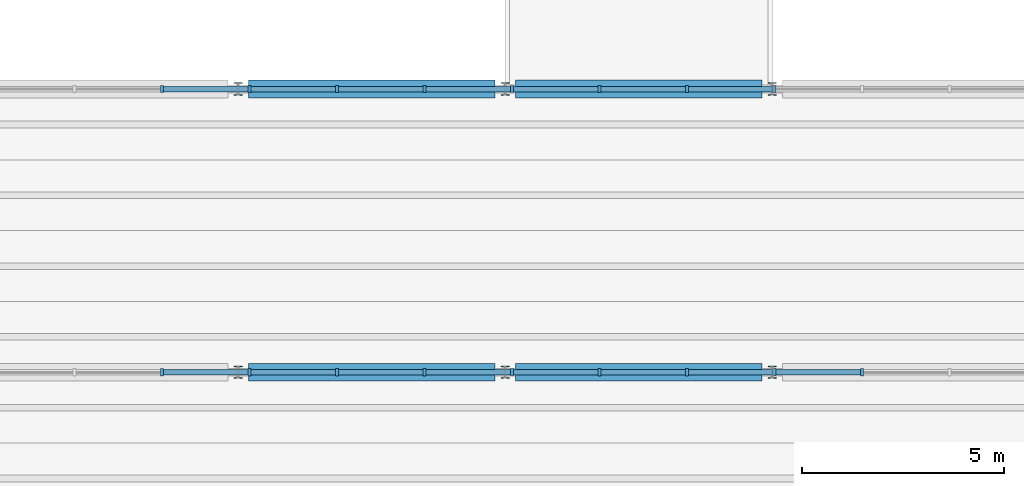
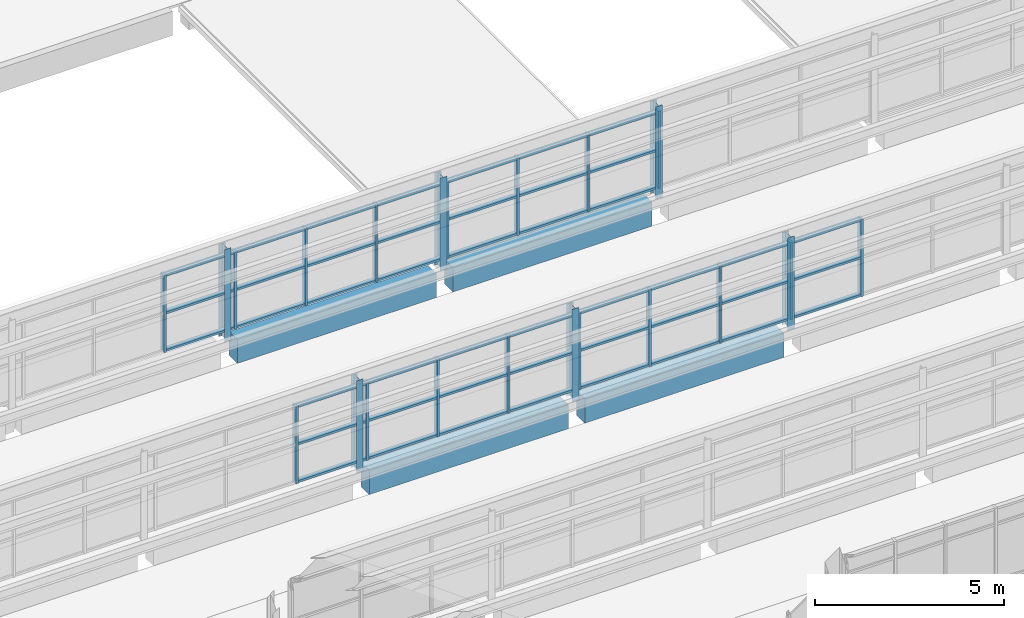
# One storey, part 25 of 92: 68 members, 4 beams, 2 elements without a shape of their own.
"""IFC4 building model written with IfcOpenShell, lengths in metres."""

from ifc_helpers import new_model, si_unit, direction, frame, origin, origin_2d, place, context, subcontext, project, spatial, rectangle, i_section, extrude, material, material_profile, profile_set, type_object, element, aggregate, save


model = new_model("IFC4")

# Units and contexts
model_context = context("Model", 3, precision=1e-05, world=origin(), true_north=direction((0.0, 1.0)))
body_context = subcontext(model_context, "Body", "Model", "MODEL_VIEW")
ifc_project = project(units=[si_unit("LENGTHUNIT", "METRE"), si_unit("AREAUNIT", "SQUARE_METRE"), si_unit("VOLUMEUNIT", "CUBIC_METRE"), si_unit("PLANEANGLEUNIT", "RADIAN"), si_unit("MASSUNIT", "GRAM", prefix="KILO")], contexts=[model_context])

# Site, building, storey
site_placement = place(None, origin())
site = spatial("IfcSite", under=ifc_project, at=site_placement, CompositionType="ELEMENT")
building_placement = place(site_placement, origin())
building = spatial("IfcBuilding", under=site, at=building_placement, Name="Ciguamira Faculty of Natural Sciences", CompositionType="ELEMENT")
storey_placement = place(building_placement, frame((0.0, 0.0, 16.800048828125)))
storey = spatial("IfcBuildingStorey", under=building, at=storey_placement, Name="L04", CompositionType="ELEMENT", Elevation=16.800048828125)

# Curtain wall, members
ifc_material_1 = material(Name="Anodized aluminium curtain wall", Category="aluminium")
curtain_wall_type_1 = type_object("IfcCurtainWallType", Name="CurtainWall_CW-03", PredefinedType="USERDEFINED", material=ifc_material_1)
curtain_wall_1_placement = place(storey_placement, origin())
curtain_wall_1 = element("IfcCurtainWall", 1, at=curtain_wall_1_placement, inside=storey, type_object=curtain_wall_type_1, Name="V4 north-light wave 2 clerestory glazing 1", ObjectType="UNITISED CURTAIN WALL", PredefinedType="USERDEFINED")
ifc_material_2 = material(Name="Anodized aluminium mullion", Category="aluminium")
ifc_material_profile_1 = material_profile(ifc_material_2, rectangle(XDim=0.070068359375, YDim=0.179931640625, at=origin_2d()), Name="ALU-MUL-70X180")
ifc_profile_set_1 = profile_set([ifc_material_profile_1], Name="Anodized aluminium mullion")
member_type_1 = type_object("IfcMemberType", Name="CWMullion_CWM-02", PredefinedType="MULLION", material=ifc_profile_set_1)
member_1_placement = place(storey_placement, frame((68.61474609375, 52.0, 0.25), z_axis=(0.0, 0.0, 1.0), x_axis=(1.0, 0.0, 0.0)))
member_1 = element("IfcMember", 2, at=member_1_placement, type_object=member_type_1, Name="CW-03 mullion 6", PredefinedType="MULLION", context=body_context, shape_type="SweptSolid", body=[
    extrude(rectangle(XDim=0.070068359375, YDim=0.179931640625, at=origin_2d()), origin(), (0.0, 0.0, 1.0), 2.5),
])
member_2_placement = place(storey_placement, frame((70.77783203125, 52.0, 0.25), z_axis=(0.0, 0.0, 1.0), x_axis=(1.0, 0.0, 0.0)))
member_2 = element("IfcMember", 3, at=member_2_placement, type_object=member_type_1, Name="CW-03 mullion 7", PredefinedType="MULLION", context=body_context, shape_type="SweptSolid", body=[
    extrude(rectangle(XDim=0.070068359375, YDim=0.179931640625, at=origin_2d()), origin(), (0.0, 0.0, 1.0), 2.5),
])
member_3_placement = place(storey_placement, frame((72.940673828125, 52.0, 0.25), z_axis=(0.0, 0.0, 1.0), x_axis=(1.0, 0.0, 0.0)))
member_3 = element("IfcMember", 4, at=member_3_placement, type_object=member_type_1, Name="CW-03 mullion 8", PredefinedType="MULLION", context=body_context, shape_type="SweptSolid", body=[
    extrude(rectangle(XDim=0.070068359375, YDim=0.179931640625, at=origin_2d()), origin(), (0.0, 0.0, 1.0), 2.5),
])
member_4_placement = place(storey_placement, frame((75.103759765625, 52.0, 0.25), z_axis=(0.0, 0.0, 1.0), x_axis=(1.0, 0.0, 0.0)))
member_4 = element("IfcMember", 5, at=member_4_placement, type_object=member_type_1, Name="CW-03 mullion 9", PredefinedType="MULLION", context=body_context, shape_type="SweptSolid", body=[
    extrude(rectangle(XDim=0.070068359375, YDim=0.179931640625, at=origin_2d()), origin(), (0.0, 0.0, 1.0), 2.5),
])
member_5_placement = place(storey_placement, frame((77.2666015625, 52.0, 0.25), z_axis=(0.0, 0.0, 1.0), x_axis=(1.0, 0.0, 0.0)))
member_5 = element("IfcMember", 6, at=member_5_placement, type_object=member_type_1, Name="CW-03 mullion 10", PredefinedType="MULLION", context=body_context, shape_type="SweptSolid", body=[
    extrude(rectangle(XDim=0.070068359375, YDim=0.179931640625, at=origin_2d()), origin(), (0.0, 0.0, 1.0), 2.5),
])
member_6_placement = place(storey_placement, frame((79.4296875, 52.0, 0.25), z_axis=(0.0, 0.0, 1.0), x_axis=(1.0, 0.0, 0.0)))
member_6 = element("IfcMember", 7, at=member_6_placement, type_object=member_type_1, Name="CW-03 mullion 11", PredefinedType="MULLION", context=body_context, shape_type="SweptSolid", body=[
    extrude(rectangle(XDim=0.070068359375, YDim=0.179931640625, at=origin_2d()), origin(), (0.0, 0.0, 1.0), 2.5),
])
member_7_placement = place(storey_placement, frame((81.592529296875, 52.0, 0.25), z_axis=(0.0, 0.0, 1.0), x_axis=(1.0, 0.0, 0.0)))
member_7 = element("IfcMember", 8, at=member_7_placement, type_object=member_type_1, Name="CW-03 mullion 12", PredefinedType="MULLION", context=body_context, shape_type="SweptSolid", body=[
    extrude(rectangle(XDim=0.070068359375, YDim=0.179931640625, at=origin_2d()), origin(), (0.0, 0.0, 1.0), 2.5),
])
member_8_placement = place(storey_placement, frame((83.755615234375, 52.0, 0.25), z_axis=(0.0, 0.0, 1.0), x_axis=(1.0, 0.0, 0.0)))
member_8 = element("IfcMember", 9, at=member_8_placement, type_object=member_type_1, Name="CW-03 mullion 13", PredefinedType="MULLION", context=body_context, shape_type="SweptSolid", body=[
    extrude(rectangle(XDim=0.070068359375, YDim=0.179931640625, at=origin_2d()), origin(), (0.0, 0.0, 1.0), 2.5),
])
member_9_placement = place(storey_placement, frame((85.91845703125, 52.0, 0.25), z_axis=(0.0, 0.0, 1.0), x_axis=(1.0, 0.0, 0.0)))
member_9 = element("IfcMember", 10, at=member_9_placement, type_object=member_type_1, Name="CW-03 mullion 14", PredefinedType="MULLION", context=body_context, shape_type="SweptSolid", body=[
    extrude(rectangle(XDim=0.070068359375, YDim=0.179931640625, at=origin_2d()), origin(), (0.0, 0.0, 1.0), 2.5),
])

curtain_wall_type_2 = type_object("IfcCurtainWallType", Name="CurtainWall_CW-04", PredefinedType="USERDEFINED", material=ifc_material_1)
curtain_wall_2_placement = place(storey_placement, origin())
curtain_wall_2 = element("IfcCurtainWall", 11, at=curtain_wall_2_placement, inside=storey, type_object=curtain_wall_type_2, Name="V4 north-light wave 3 clerestory glazing 1", ObjectType="UNITISED CURTAIN WALL", PredefinedType="USERDEFINED")
member_10_placement = place(storey_placement, frame((68.61474609375, 59.0, 0.25), z_axis=(0.0, 0.0, 1.0), x_axis=(1.0, 0.0, 0.0)))
member_10 = element("IfcMember", 12, at=member_10_placement, type_object=member_type_1, Name="CW-04 mullion 6", PredefinedType="MULLION", context=body_context, shape_type="SweptSolid", body=[
    extrude(rectangle(XDim=0.070068359375, YDim=0.179931640625, at=origin_2d()), origin(), (0.0, 0.0, 1.0), 2.5),
])
member_11_placement = place(storey_placement, frame((70.77783203125, 59.0, 0.25), z_axis=(0.0, 0.0, 1.0), x_axis=(1.0, 0.0, 0.0)))
member_11 = element("IfcMember", 13, at=member_11_placement, type_object=member_type_1, Name="CW-04 mullion 7", PredefinedType="MULLION", context=body_context, shape_type="SweptSolid", body=[
    extrude(rectangle(XDim=0.070068359375, YDim=0.179931640625, at=origin_2d()), origin(), (0.0, 0.0, 1.0), 2.5),
])
member_12_placement = place(storey_placement, frame((72.940673828125, 59.0, 0.25), z_axis=(0.0, 0.0, 1.0), x_axis=(1.0, 0.0, 0.0)))
member_12 = element("IfcMember", 14, at=member_12_placement, type_object=member_type_1, Name="CW-04 mullion 8", PredefinedType="MULLION", context=body_context, shape_type="SweptSolid", body=[
    extrude(rectangle(XDim=0.070068359375, YDim=0.179931640625, at=origin_2d()), origin(), (0.0, 0.0, 1.0), 2.5),
])
member_13_placement = place(storey_placement, frame((75.103759765625, 59.0, 0.25), z_axis=(0.0, 0.0, 1.0), x_axis=(1.0, 0.0, 0.0)))
member_13 = element("IfcMember", 15, at=member_13_placement, type_object=member_type_1, Name="CW-04 mullion 9", PredefinedType="MULLION", context=body_context, shape_type="SweptSolid", body=[
    extrude(rectangle(XDim=0.070068359375, YDim=0.179931640625, at=origin_2d()), origin(), (0.0, 0.0, 1.0), 2.5),
])
member_14_placement = place(storey_placement, frame((77.2666015625, 59.0, 0.25), z_axis=(0.0, 0.0, 1.0), x_axis=(1.0, 0.0, 0.0)))
member_14 = element("IfcMember", 16, at=member_14_placement, type_object=member_type_1, Name="CW-04 mullion 10", PredefinedType="MULLION", context=body_context, shape_type="SweptSolid", body=[
    extrude(rectangle(XDim=0.070068359375, YDim=0.179931640625, at=origin_2d()), origin(), (0.0, 0.0, 1.0), 2.5),
])
member_15_placement = place(storey_placement, frame((79.4296875, 59.0, 0.25), z_axis=(0.0, 0.0, 1.0), x_axis=(1.0, 0.0, 0.0)))
member_15 = element("IfcMember", 17, at=member_15_placement, type_object=member_type_1, Name="CW-04 mullion 11", PredefinedType="MULLION", context=body_context, shape_type="SweptSolid", body=[
    extrude(rectangle(XDim=0.070068359375, YDim=0.179931640625, at=origin_2d()), origin(), (0.0, 0.0, 1.0), 2.5),
])
member_16_placement = place(storey_placement, frame((81.592529296875, 59.0, 0.25), z_axis=(0.0, 0.0, 1.0), x_axis=(1.0, 0.0, 0.0)))
member_16 = element("IfcMember", 18, at=member_16_placement, type_object=member_type_1, Name="CW-04 mullion 12", PredefinedType="MULLION", context=body_context, shape_type="SweptSolid", body=[
    extrude(rectangle(XDim=0.070068359375, YDim=0.179931640625, at=origin_2d()), origin(), (0.0, 0.0, 1.0), 2.5),
])
member_17_placement = place(storey_placement, frame((83.755615234375, 59.0, 0.25), z_axis=(0.0, 0.0, 1.0), x_axis=(1.0, 0.0, 0.0)))
member_17 = element("IfcMember", 19, at=member_17_placement, type_object=member_type_1, Name="CW-04 mullion 13", PredefinedType="MULLION", context=body_context, shape_type="SweptSolid", body=[
    extrude(rectangle(XDim=0.070068359375, YDim=0.179931640625, at=origin_2d()), origin(), (0.0, 0.0, 1.0), 2.5),
])

# Member
ifc_material_3 = material(Name="Anodized aluminium transom", Category="aluminium")
ifc_material_profile_2 = material_profile(ifc_material_3, rectangle(XDim=0.070068359375, YDim=0.139892578125, at=origin_2d()), Name="ALU-TRN-70X140")
ifc_profile_set_2 = profile_set([ifc_material_profile_2], Name="Anodized aluminium transom")
member_type_2 = type_object("IfcMemberType", Name="CWTransom_CWT-02", PredefinedType="USERDEFINED", material=ifc_profile_set_2)
member_18_placement = place(storey_placement, frame((68.64990234375, 52.0, 0.284912109375), z_axis=(1.0, 0.0, 0.0), x_axis=(0.0, 0.0, 1.0)))
member_18 = element("IfcMember", 20, at=member_18_placement, type_object=member_type_2, Name="CW-03 transom 6.1", ObjectType="TRANSOM", PredefinedType="USERDEFINED", context=body_context, shape_type="SweptSolid", body=[
    extrude(rectangle(XDim=0.070068359375, YDim=0.139892578125, at=origin_2d()), origin(), (0.0, 0.0, 1.0), 2.0927734375),
])

member_19_placement = place(storey_placement, frame((68.64990234375, 52.0, 1.5), z_axis=(1.0, 0.0, 0.0), x_axis=(0.0, 0.0, 1.0)))
member_19 = element("IfcMember", 21, at=member_19_placement, type_object=member_type_2, Name="CW-03 transom 6.2", ObjectType="TRANSOM", PredefinedType="USERDEFINED", context=body_context, shape_type="SweptSolid", body=[
    extrude(rectangle(XDim=0.070068359375, YDim=0.139892578125, at=origin_2d()), origin(), (0.0, 0.0, 1.0), 2.0927734375),
])

member_20_placement = place(storey_placement, frame((68.64990234375, 52.0, 2.71484375), z_axis=(1.0, 0.0, 0.0), x_axis=(0.0, 0.0, 1.0)))
member_20 = element("IfcMember", 22, at=member_20_placement, type_object=member_type_2, Name="CW-03 transom 6.3", ObjectType="TRANSOM", PredefinedType="USERDEFINED", context=body_context, shape_type="SweptSolid", body=[
    extrude(rectangle(XDim=0.070068359375, YDim=0.139892578125, at=origin_2d()), origin(), (0.0, 0.0, 1.0), 2.0927734375),
])

member_21_placement = place(storey_placement, frame((70.812744140625, 52.0, 0.284912109375), z_axis=(1.0, 0.0, 0.0), x_axis=(0.0, 0.0, 1.0)))
member_21 = element("IfcMember", 23, at=member_21_placement, type_object=member_type_2, Name="CW-03 transom 7.1", ObjectType="TRANSOM", PredefinedType="USERDEFINED", context=body_context, shape_type="SweptSolid", body=[
    extrude(rectangle(XDim=0.070068359375, YDim=0.139892578125, at=origin_2d()), origin(), (0.0, 0.0, 1.0), 2.093017578125),
])

member_22_placement = place(storey_placement, frame((70.812744140625, 52.0, 1.5), z_axis=(1.0, 0.0, 0.0), x_axis=(0.0, 0.0, 1.0)))
member_22 = element("IfcMember", 24, at=member_22_placement, type_object=member_type_2, Name="CW-03 transom 7.2", ObjectType="TRANSOM", PredefinedType="USERDEFINED", context=body_context, shape_type="SweptSolid", body=[
    extrude(rectangle(XDim=0.070068359375, YDim=0.139892578125, at=origin_2d()), origin(), (0.0, 0.0, 1.0), 2.093017578125),
])

member_23_placement = place(storey_placement, frame((70.812744140625, 52.0, 2.71484375), z_axis=(1.0, 0.0, 0.0), x_axis=(0.0, 0.0, 1.0)))
member_23 = element("IfcMember", 25, at=member_23_placement, type_object=member_type_2, Name="CW-03 transom 7.3", ObjectType="TRANSOM", PredefinedType="USERDEFINED", context=body_context, shape_type="SweptSolid", body=[
    extrude(rectangle(XDim=0.070068359375, YDim=0.139892578125, at=origin_2d()), origin(), (0.0, 0.0, 1.0), 2.093017578125),
])

member_24_placement = place(storey_placement, frame((72.975830078125, 52.0, 0.284912109375), z_axis=(1.0, 0.0, 0.0), x_axis=(0.0, 0.0, 1.0)))
member_24 = element("IfcMember", 26, at=member_24_placement, type_object=member_type_2, Name="CW-03 transom 8.1", ObjectType="TRANSOM", PredefinedType="USERDEFINED", context=body_context, shape_type="SweptSolid", body=[
    extrude(rectangle(XDim=0.070068359375, YDim=0.139892578125, at=origin_2d()), origin(), (0.0, 0.0, 1.0), 2.0927734375),
])

member_25_placement = place(storey_placement, frame((72.975830078125, 52.0, 1.5), z_axis=(1.0, 0.0, 0.0), x_axis=(0.0, 0.0, 1.0)))
member_25 = element("IfcMember", 27, at=member_25_placement, type_object=member_type_2, Name="CW-03 transom 8.2", ObjectType="TRANSOM", PredefinedType="USERDEFINED", context=body_context, shape_type="SweptSolid", body=[
    extrude(rectangle(XDim=0.070068359375, YDim=0.139892578125, at=origin_2d()), origin(), (0.0, 0.0, 1.0), 2.0927734375),
])

member_26_placement = place(storey_placement, frame((72.975830078125, 52.0, 2.71484375), z_axis=(1.0, 0.0, 0.0), x_axis=(0.0, 0.0, 1.0)))
member_26 = element("IfcMember", 28, at=member_26_placement, type_object=member_type_2, Name="CW-03 transom 8.3", ObjectType="TRANSOM", PredefinedType="USERDEFINED", context=body_context, shape_type="SweptSolid", body=[
    extrude(rectangle(XDim=0.070068359375, YDim=0.139892578125, at=origin_2d()), origin(), (0.0, 0.0, 1.0), 2.0927734375),
])

member_27_placement = place(storey_placement, frame((75.138671875, 52.0, 0.284912109375), z_axis=(1.0, 0.0, 0.0), x_axis=(0.0, 0.0, 1.0)))
member_27 = element("IfcMember", 29, at=member_27_placement, type_object=member_type_2, Name="CW-03 transom 9.1", ObjectType="TRANSOM", PredefinedType="USERDEFINED", context=body_context, shape_type="SweptSolid", body=[
    extrude(rectangle(XDim=0.070068359375, YDim=0.139892578125, at=origin_2d()), origin(), (0.0, 0.0, 1.0), 2.093017578125),
])

member_28_placement = place(storey_placement, frame((75.138671875, 52.0, 1.5), z_axis=(1.0, 0.0, 0.0), x_axis=(0.0, 0.0, 1.0)))
member_28 = element("IfcMember", 30, at=member_28_placement, type_object=member_type_2, Name="CW-03 transom 9.2", ObjectType="TRANSOM", PredefinedType="USERDEFINED", context=body_context, shape_type="SweptSolid", body=[
    extrude(rectangle(XDim=0.070068359375, YDim=0.139892578125, at=origin_2d()), origin(), (0.0, 0.0, 1.0), 2.093017578125),
])

member_29_placement = place(storey_placement, frame((75.138671875, 52.0, 2.71484375), z_axis=(1.0, 0.0, 0.0), x_axis=(0.0, 0.0, 1.0)))
member_29 = element("IfcMember", 31, at=member_29_placement, type_object=member_type_2, Name="CW-03 transom 9.3", ObjectType="TRANSOM", PredefinedType="USERDEFINED", context=body_context, shape_type="SweptSolid", body=[
    extrude(rectangle(XDim=0.070068359375, YDim=0.139892578125, at=origin_2d()), origin(), (0.0, 0.0, 1.0), 2.093017578125),
])

member_30_placement = place(storey_placement, frame((77.3017578125, 52.0, 0.284912109375), z_axis=(1.0, 0.0, 0.0), x_axis=(0.0, 0.0, 1.0)))
member_30 = element("IfcMember", 32, at=member_30_placement, type_object=member_type_2, Name="CW-03 transom 10.1", ObjectType="TRANSOM", PredefinedType="USERDEFINED", context=body_context, shape_type="SweptSolid", body=[
    extrude(rectangle(XDim=0.070068359375, YDim=0.139892578125, at=origin_2d()), origin(), (0.0, 0.0, 1.0), 2.0927734375),
])

member_31_placement = place(storey_placement, frame((77.3017578125, 52.0, 1.5), z_axis=(1.0, 0.0, 0.0), x_axis=(0.0, 0.0, 1.0)))
member_31 = element("IfcMember", 33, at=member_31_placement, type_object=member_type_2, Name="CW-03 transom 10.2", ObjectType="TRANSOM", PredefinedType="USERDEFINED", context=body_context, shape_type="SweptSolid", body=[
    extrude(rectangle(XDim=0.070068359375, YDim=0.139892578125, at=origin_2d()), origin(), (0.0, 0.0, 1.0), 2.0927734375),
])

member_32_placement = place(storey_placement, frame((77.3017578125, 52.0, 2.71484375), z_axis=(1.0, 0.0, 0.0), x_axis=(0.0, 0.0, 1.0)))
member_32 = element("IfcMember", 34, at=member_32_placement, type_object=member_type_2, Name="CW-03 transom 10.3", ObjectType="TRANSOM", PredefinedType="USERDEFINED", context=body_context, shape_type="SweptSolid", body=[
    extrude(rectangle(XDim=0.070068359375, YDim=0.139892578125, at=origin_2d()), origin(), (0.0, 0.0, 1.0), 2.0927734375),
])

member_33_placement = place(storey_placement, frame((79.464599609375, 52.0, 0.284912109375), z_axis=(1.0, 0.0, 0.0), x_axis=(0.0, 0.0, 1.0)))
member_33 = element("IfcMember", 35, at=member_33_placement, type_object=member_type_2, Name="CW-03 transom 11.1", ObjectType="TRANSOM", PredefinedType="USERDEFINED", context=body_context, shape_type="SweptSolid", body=[
    extrude(rectangle(XDim=0.070068359375, YDim=0.139892578125, at=origin_2d()), origin(), (0.0, 0.0, 1.0), 2.093017578125),
])

member_34_placement = place(storey_placement, frame((79.464599609375, 52.0, 1.5), z_axis=(1.0, 0.0, 0.0), x_axis=(0.0, 0.0, 1.0)))
member_34 = element("IfcMember", 36, at=member_34_placement, type_object=member_type_2, Name="CW-03 transom 11.2", ObjectType="TRANSOM", PredefinedType="USERDEFINED", context=body_context, shape_type="SweptSolid", body=[
    extrude(rectangle(XDim=0.070068359375, YDim=0.139892578125, at=origin_2d()), origin(), (0.0, 0.0, 1.0), 2.093017578125),
])

member_35_placement = place(storey_placement, frame((79.464599609375, 52.0, 2.71484375), z_axis=(1.0, 0.0, 0.0), x_axis=(0.0, 0.0, 1.0)))
member_35 = element("IfcMember", 37, at=member_35_placement, type_object=member_type_2, Name="CW-03 transom 11.3", ObjectType="TRANSOM", PredefinedType="USERDEFINED", context=body_context, shape_type="SweptSolid", body=[
    extrude(rectangle(XDim=0.070068359375, YDim=0.139892578125, at=origin_2d()), origin(), (0.0, 0.0, 1.0), 2.093017578125),
])

member_36_placement = place(storey_placement, frame((81.627685546875, 52.0, 0.284912109375), z_axis=(1.0, 0.0, 0.0), x_axis=(0.0, 0.0, 1.0)))
member_36 = element("IfcMember", 38, at=member_36_placement, type_object=member_type_2, Name="CW-03 transom 12.1", ObjectType="TRANSOM", PredefinedType="USERDEFINED", context=body_context, shape_type="SweptSolid", body=[
    extrude(rectangle(XDim=0.070068359375, YDim=0.139892578125, at=origin_2d()), origin(), (0.0, 0.0, 1.0), 2.0927734375),
])

member_37_placement = place(storey_placement, frame((81.627685546875, 52.0, 1.5), z_axis=(1.0, 0.0, 0.0), x_axis=(0.0, 0.0, 1.0)))
member_37 = element("IfcMember", 39, at=member_37_placement, type_object=member_type_2, Name="CW-03 transom 12.2", ObjectType="TRANSOM", PredefinedType="USERDEFINED", context=body_context, shape_type="SweptSolid", body=[
    extrude(rectangle(XDim=0.070068359375, YDim=0.139892578125, at=origin_2d()), origin(), (0.0, 0.0, 1.0), 2.0927734375),
])

member_38_placement = place(storey_placement, frame((81.627685546875, 52.0, 2.71484375), z_axis=(1.0, 0.0, 0.0), x_axis=(0.0, 0.0, 1.0)))
member_38 = element("IfcMember", 40, at=member_38_placement, type_object=member_type_2, Name="CW-03 transom 12.3", ObjectType="TRANSOM", PredefinedType="USERDEFINED", context=body_context, shape_type="SweptSolid", body=[
    extrude(rectangle(XDim=0.070068359375, YDim=0.139892578125, at=origin_2d()), origin(), (0.0, 0.0, 1.0), 2.0927734375),
])

member_39_placement = place(storey_placement, frame((83.79052734375, 52.0, 0.284912109375), z_axis=(1.0, 0.0, 0.0), x_axis=(0.0, 0.0, 1.0)))
member_39 = element("IfcMember", 41, at=member_39_placement, type_object=member_type_2, Name="CW-03 transom 13.1", ObjectType="TRANSOM", PredefinedType="USERDEFINED", context=body_context, shape_type="SweptSolid", body=[
    extrude(rectangle(XDim=0.070068359375, YDim=0.139892578125, at=origin_2d()), origin(), (0.0, 0.0, 1.0), 2.093017578125),
])

member_40_placement = place(storey_placement, frame((83.79052734375, 52.0, 1.5), z_axis=(1.0, 0.0, 0.0), x_axis=(0.0, 0.0, 1.0)))
member_40 = element("IfcMember", 42, at=member_40_placement, type_object=member_type_2, Name="CW-03 transom 13.2", ObjectType="TRANSOM", PredefinedType="USERDEFINED", context=body_context, shape_type="SweptSolid", body=[
    extrude(rectangle(XDim=0.070068359375, YDim=0.139892578125, at=origin_2d()), origin(), (0.0, 0.0, 1.0), 2.093017578125),
])

member_41_placement = place(storey_placement, frame((83.79052734375, 52.0, 2.71484375), z_axis=(1.0, 0.0, 0.0), x_axis=(0.0, 0.0, 1.0)))
member_41 = element("IfcMember", 43, at=member_41_placement, type_object=member_type_2, Name="CW-03 transom 13.3", ObjectType="TRANSOM", PredefinedType="USERDEFINED", context=body_context, shape_type="SweptSolid", body=[
    extrude(rectangle(XDim=0.070068359375, YDim=0.139892578125, at=origin_2d()), origin(), (0.0, 0.0, 1.0), 2.093017578125),
])

aggregate(curtain_wall_1, [member_1, member_2, member_3, member_4, member_5, member_6, member_7, member_8, member_9, member_18, member_19, member_20, member_21, member_22, member_23, member_24, member_25, member_26, member_27, member_28, member_29, member_30, member_31, member_32, member_33, member_34, member_35, member_36, member_37, member_38, member_39, member_40, member_41])

member_42_placement = place(storey_placement, frame((68.64990234375, 59.0, 0.284912109375), z_axis=(1.0, 0.0, 0.0), x_axis=(0.0, 0.0, 1.0)))
member_42 = element("IfcMember", 44, at=member_42_placement, type_object=member_type_2, Name="CW-04 transom 6.1", ObjectType="TRANSOM", PredefinedType="USERDEFINED", context=body_context, shape_type="SweptSolid", body=[
    extrude(rectangle(XDim=0.070068359375, YDim=0.139892578125, at=origin_2d()), origin(), (0.0, 0.0, 1.0), 2.0927734375),
])

member_43_placement = place(storey_placement, frame((68.64990234375, 59.0, 1.5), z_axis=(1.0, 0.0, 0.0), x_axis=(0.0, 0.0, 1.0)))
member_43 = element("IfcMember", 45, at=member_43_placement, type_object=member_type_2, Name="CW-04 transom 6.2", ObjectType="TRANSOM", PredefinedType="USERDEFINED", context=body_context, shape_type="SweptSolid", body=[
    extrude(rectangle(XDim=0.070068359375, YDim=0.139892578125, at=origin_2d()), origin(), (0.0, 0.0, 1.0), 2.0927734375),
])

member_44_placement = place(storey_placement, frame((68.64990234375, 59.0, 2.71484375), z_axis=(1.0, 0.0, 0.0), x_axis=(0.0, 0.0, 1.0)))
member_44 = element("IfcMember", 46, at=member_44_placement, type_object=member_type_2, Name="CW-04 transom 6.3", ObjectType="TRANSOM", PredefinedType="USERDEFINED", context=body_context, shape_type="SweptSolid", body=[
    extrude(rectangle(XDim=0.070068359375, YDim=0.139892578125, at=origin_2d()), origin(), (0.0, 0.0, 1.0), 2.0927734375),
])

member_45_placement = place(storey_placement, frame((70.812744140625, 59.0, 0.284912109375), z_axis=(1.0, 0.0, 0.0), x_axis=(0.0, 0.0, 1.0)))
member_45 = element("IfcMember", 47, at=member_45_placement, type_object=member_type_2, Name="CW-04 transom 7.1", ObjectType="TRANSOM", PredefinedType="USERDEFINED", context=body_context, shape_type="SweptSolid", body=[
    extrude(rectangle(XDim=0.070068359375, YDim=0.139892578125, at=origin_2d()), origin(), (0.0, 0.0, 1.0), 2.093017578125),
])

member_46_placement = place(storey_placement, frame((70.812744140625, 59.0, 1.5), z_axis=(1.0, 0.0, 0.0), x_axis=(0.0, 0.0, 1.0)))
member_46 = element("IfcMember", 48, at=member_46_placement, type_object=member_type_2, Name="CW-04 transom 7.2", ObjectType="TRANSOM", PredefinedType="USERDEFINED", context=body_context, shape_type="SweptSolid", body=[
    extrude(rectangle(XDim=0.070068359375, YDim=0.139892578125, at=origin_2d()), origin(), (0.0, 0.0, 1.0), 2.093017578125),
])

member_47_placement = place(storey_placement, frame((70.812744140625, 59.0, 2.71484375), z_axis=(1.0, 0.0, 0.0), x_axis=(0.0, 0.0, 1.0)))
member_47 = element("IfcMember", 49, at=member_47_placement, type_object=member_type_2, Name="CW-04 transom 7.3", ObjectType="TRANSOM", PredefinedType="USERDEFINED", context=body_context, shape_type="SweptSolid", body=[
    extrude(rectangle(XDim=0.070068359375, YDim=0.139892578125, at=origin_2d()), origin(), (0.0, 0.0, 1.0), 2.093017578125),
])

member_48_placement = place(storey_placement, frame((72.975830078125, 59.0, 0.284912109375), z_axis=(1.0, 0.0, 0.0), x_axis=(0.0, 0.0, 1.0)))
member_48 = element("IfcMember", 50, at=member_48_placement, type_object=member_type_2, Name="CW-04 transom 8.1", ObjectType="TRANSOM", PredefinedType="USERDEFINED", context=body_context, shape_type="SweptSolid", body=[
    extrude(rectangle(XDim=0.070068359375, YDim=0.139892578125, at=origin_2d()), origin(), (0.0, 0.0, 1.0), 2.0927734375),
])

member_49_placement = place(storey_placement, frame((72.975830078125, 59.0, 1.5), z_axis=(1.0, 0.0, 0.0), x_axis=(0.0, 0.0, 1.0)))
member_49 = element("IfcMember", 51, at=member_49_placement, type_object=member_type_2, Name="CW-04 transom 8.2", ObjectType="TRANSOM", PredefinedType="USERDEFINED", context=body_context, shape_type="SweptSolid", body=[
    extrude(rectangle(XDim=0.070068359375, YDim=0.139892578125, at=origin_2d()), origin(), (0.0, 0.0, 1.0), 2.0927734375),
])

member_50_placement = place(storey_placement, frame((72.975830078125, 59.0, 2.71484375), z_axis=(1.0, 0.0, 0.0), x_axis=(0.0, 0.0, 1.0)))
member_50 = element("IfcMember", 52, at=member_50_placement, type_object=member_type_2, Name="CW-04 transom 8.3", ObjectType="TRANSOM", PredefinedType="USERDEFINED", context=body_context, shape_type="SweptSolid", body=[
    extrude(rectangle(XDim=0.070068359375, YDim=0.139892578125, at=origin_2d()), origin(), (0.0, 0.0, 1.0), 2.0927734375),
])

member_51_placement = place(storey_placement, frame((75.138671875, 59.0, 0.284912109375), z_axis=(1.0, 0.0, 0.0), x_axis=(0.0, 0.0, 1.0)))
member_51 = element("IfcMember", 53, at=member_51_placement, type_object=member_type_2, Name="CW-04 transom 9.1", ObjectType="TRANSOM", PredefinedType="USERDEFINED", context=body_context, shape_type="SweptSolid", body=[
    extrude(rectangle(XDim=0.070068359375, YDim=0.139892578125, at=origin_2d()), origin(), (0.0, 0.0, 1.0), 2.093017578125),
])

member_52_placement = place(storey_placement, frame((75.138671875, 59.0, 1.5), z_axis=(1.0, 0.0, 0.0), x_axis=(0.0, 0.0, 1.0)))
member_52 = element("IfcMember", 54, at=member_52_placement, type_object=member_type_2, Name="CW-04 transom 9.2", ObjectType="TRANSOM", PredefinedType="USERDEFINED", context=body_context, shape_type="SweptSolid", body=[
    extrude(rectangle(XDim=0.070068359375, YDim=0.139892578125, at=origin_2d()), origin(), (0.0, 0.0, 1.0), 2.093017578125),
])

member_53_placement = place(storey_placement, frame((75.138671875, 59.0, 2.71484375), z_axis=(1.0, 0.0, 0.0), x_axis=(0.0, 0.0, 1.0)))
member_53 = element("IfcMember", 55, at=member_53_placement, type_object=member_type_2, Name="CW-04 transom 9.3", ObjectType="TRANSOM", PredefinedType="USERDEFINED", context=body_context, shape_type="SweptSolid", body=[
    extrude(rectangle(XDim=0.070068359375, YDim=0.139892578125, at=origin_2d()), origin(), (0.0, 0.0, 1.0), 2.093017578125),
])

member_54_placement = place(storey_placement, frame((77.3017578125, 59.0, 0.284912109375), z_axis=(1.0, 0.0, 0.0), x_axis=(0.0, 0.0, 1.0)))
member_54 = element("IfcMember", 56, at=member_54_placement, type_object=member_type_2, Name="CW-04 transom 10.1", ObjectType="TRANSOM", PredefinedType="USERDEFINED", context=body_context, shape_type="SweptSolid", body=[
    extrude(rectangle(XDim=0.070068359375, YDim=0.139892578125, at=origin_2d()), origin(), (0.0, 0.0, 1.0), 2.0927734375),
])

member_55_placement = place(storey_placement, frame((77.3017578125, 59.0, 1.5), z_axis=(1.0, 0.0, 0.0), x_axis=(0.0, 0.0, 1.0)))
member_55 = element("IfcMember", 57, at=member_55_placement, type_object=member_type_2, Name="CW-04 transom 10.2", ObjectType="TRANSOM", PredefinedType="USERDEFINED", context=body_context, shape_type="SweptSolid", body=[
    extrude(rectangle(XDim=0.070068359375, YDim=0.139892578125, at=origin_2d()), origin(), (0.0, 0.0, 1.0), 2.0927734375),
])

member_56_placement = place(storey_placement, frame((77.3017578125, 59.0, 2.71484375), z_axis=(1.0, 0.0, 0.0), x_axis=(0.0, 0.0, 1.0)))
member_56 = element("IfcMember", 58, at=member_56_placement, type_object=member_type_2, Name="CW-04 transom 10.3", ObjectType="TRANSOM", PredefinedType="USERDEFINED", context=body_context, shape_type="SweptSolid", body=[
    extrude(rectangle(XDim=0.070068359375, YDim=0.139892578125, at=origin_2d()), origin(), (0.0, 0.0, 1.0), 2.0927734375),
])

member_57_placement = place(storey_placement, frame((79.464599609375, 59.0, 0.284912109375), z_axis=(1.0, 0.0, 0.0), x_axis=(0.0, 0.0, 1.0)))
member_57 = element("IfcMember", 59, at=member_57_placement, type_object=member_type_2, Name="CW-04 transom 11.1", ObjectType="TRANSOM", PredefinedType="USERDEFINED", context=body_context, shape_type="SweptSolid", body=[
    extrude(rectangle(XDim=0.070068359375, YDim=0.139892578125, at=origin_2d()), origin(), (0.0, 0.0, 1.0), 2.093017578125),
])

member_58_placement = place(storey_placement, frame((79.464599609375, 59.0, 1.5), z_axis=(1.0, 0.0, 0.0), x_axis=(0.0, 0.0, 1.0)))
member_58 = element("IfcMember", 60, at=member_58_placement, type_object=member_type_2, Name="CW-04 transom 11.2", ObjectType="TRANSOM", PredefinedType="USERDEFINED", context=body_context, shape_type="SweptSolid", body=[
    extrude(rectangle(XDim=0.070068359375, YDim=0.139892578125, at=origin_2d()), origin(), (0.0, 0.0, 1.0), 2.093017578125),
])

member_59_placement = place(storey_placement, frame((79.464599609375, 59.0, 2.71484375), z_axis=(1.0, 0.0, 0.0), x_axis=(0.0, 0.0, 1.0)))
member_59 = element("IfcMember", 61, at=member_59_placement, type_object=member_type_2, Name="CW-04 transom 11.3", ObjectType="TRANSOM", PredefinedType="USERDEFINED", context=body_context, shape_type="SweptSolid", body=[
    extrude(rectangle(XDim=0.070068359375, YDim=0.139892578125, at=origin_2d()), origin(), (0.0, 0.0, 1.0), 2.093017578125),
])

member_60_placement = place(storey_placement, frame((81.627685546875, 59.0, 0.284912109375), z_axis=(1.0, 0.0, 0.0), x_axis=(0.0, 0.0, 1.0)))
member_60 = element("IfcMember", 62, at=member_60_placement, type_object=member_type_2, Name="CW-04 transom 12.1", ObjectType="TRANSOM", PredefinedType="USERDEFINED", context=body_context, shape_type="SweptSolid", body=[
    extrude(rectangle(XDim=0.070068359375, YDim=0.139892578125, at=origin_2d()), origin(), (0.0, 0.0, 1.0), 2.0927734375),
])

member_61_placement = place(storey_placement, frame((81.627685546875, 59.0, 1.5), z_axis=(1.0, 0.0, 0.0), x_axis=(0.0, 0.0, 1.0)))
member_61 = element("IfcMember", 63, at=member_61_placement, type_object=member_type_2, Name="CW-04 transom 12.2", ObjectType="TRANSOM", PredefinedType="USERDEFINED", context=body_context, shape_type="SweptSolid", body=[
    extrude(rectangle(XDim=0.070068359375, YDim=0.139892578125, at=origin_2d()), origin(), (0.0, 0.0, 1.0), 2.0927734375),
])

member_62_placement = place(storey_placement, frame((81.627685546875, 59.0, 2.71484375), z_axis=(1.0, 0.0, 0.0), x_axis=(0.0, 0.0, 1.0)))
member_62 = element("IfcMember", 64, at=member_62_placement, type_object=member_type_2, Name="CW-04 transom 12.3", ObjectType="TRANSOM", PredefinedType="USERDEFINED", context=body_context, shape_type="SweptSolid", body=[
    extrude(rectangle(XDim=0.070068359375, YDim=0.139892578125, at=origin_2d()), origin(), (0.0, 0.0, 1.0), 2.0927734375),
])

aggregate(curtain_wall_2, [member_10, member_11, member_12, member_13, member_14, member_15, member_16, member_17, member_42, member_43, member_44, member_45, member_46, member_47, member_48, member_49, member_50, member_51, member_52, member_53, member_54, member_55, member_56, member_57, member_58, member_59, member_60, member_61, member_62])

# Beams
ifc_material_4 = material(Name="Concrete C40/50", Category="concrete")
ifc_material_profile_3 = material_profile(ifc_material_4, rectangle(XDim=0.43994140625, YDim=0.780029296875, at=origin_2d()), Name="RC-BM-440X780")
ifc_profile_set_3 = profile_set([ifc_material_profile_3], Name="Concrete C40/50")
beam_type = type_object("IfcBeamType", Name="RCBeam_BG-06_RC-BM-440X780", PredefinedType="BEAM", material=ifc_profile_set_3)
beam_1_placement = place(storey_placement, frame((70.75, 52.0, -0.39013671875), z_axis=(1.0, 0.0, 0.0), x_axis=(0.0, 1.0, 0.0)))
element("IfcBeam", 65, at=beam_1_placement, inside=storey, type_object=beam_type, Name="V4 north-light wave 2 RC valley beam NVL-1-3", PredefinedType="BEAM", context=body_context, shape_type="SweptSolid", body=[
    extrude(rectangle(XDim=0.43994140625, YDim=0.780029296875, at=origin_2d()), origin(), (0.0, 0.0, 1.0), 6.10009765625),
])
beam_2_placement = place(storey_placement, frame((77.35009765625, 52.0, -0.39013671875), z_axis=(1.0, 0.0, 0.0), x_axis=(0.0, 1.0, 0.0)))
element("IfcBeam", 66, at=beam_2_placement, inside=storey, type_object=beam_type, Name="V4 north-light wave 2 RC valley beam NVL-1-4", PredefinedType="BEAM", context=body_context, shape_type="SweptSolid", body=[
    extrude(rectangle(XDim=0.43994140625, YDim=0.780029296875, at=origin_2d()), origin(), (0.0, 0.0, 1.0), 6.099853515625),
])
beam_3_placement = place(storey_placement, frame((70.75, 59.0, -0.39013671875), z_axis=(1.0, 0.0, 0.0), x_axis=(0.0, 1.0, 0.0)))
element("IfcBeam", 67, at=beam_3_placement, inside=storey, type_object=beam_type, Name="V4 north-light wave 3 RC valley beam NVL-1-3", PredefinedType="BEAM", context=body_context, shape_type="SweptSolid", body=[
    extrude(rectangle(XDim=0.43994140625, YDim=0.780029296875, at=origin_2d()), origin(), (0.0, 0.0, 1.0), 6.10009765625),
])
beam_4_placement = place(storey_placement, frame((77.35009765625, 59.0, -0.39013671875), z_axis=(1.0, 0.0, 0.0), x_axis=(0.0, 1.0, 0.0)))
element("IfcBeam", 68, at=beam_4_placement, inside=storey, type_object=beam_type, Name="V4 north-light wave 3 RC valley beam NVL-1-4", PredefinedType="BEAM", context=body_context, shape_type="SweptSolid", body=[
    extrude(rectangle(XDim=0.43994140625, YDim=0.780029296875, at=origin_2d()), origin(), (0.0, 0.0, 1.0), 6.099853515625),
])

# Members
ifc_material_5 = material(Name="Steel ASTM A992 Grade 50", Category="steel")
ifc_material_profile_4 = material_profile(ifc_material_5, i_section(OverallWidth=0.20458984375, OverallDepth=0.307373046875, WebThickness=0.008544921875, FlangeThickness=0.0146484375, at=origin_2d()), Name="W12X45")
ifc_profile_set_4 = profile_set([ifc_material_profile_4], Name="Steel ASTM A992 Grade 50")
member_type_3 = type_object("IfcMemberType", Name="SteelMember_TS-01_W12X45", PredefinedType="STRUT", material=ifc_profile_set_4)
for number, where, z_axis, x_axis, name in (
    (69, (70.5, 52.0, 0.0), (0.0, 0.0, 1.0), (1.0, 0.0, 0.0), "V4 north-light wave 2 clerestory post 70"),
    (70, (77.10009765625, 52.0, 0.0), (0.0, 0.0, 1.0), (1.0, 0.0, 0.0), "V4 north-light wave 2 clerestory post 77"),
    (71, (83.699951171875, 52.0, 0.0), (0.0, 0.0, 1.0), (1.0, 0.0, 0.0), "V4 north-light wave 2 clerestory post 84"),
    (72, (70.5, 59.0, 0.0), (0.0, 0.0, 1.0), (1.0, 0.0, 0.0), "V4 north-light wave 3 clerestory post 70"),
    (73, (77.10009765625, 59.0, 0.0), (0.0, 0.0, 1.0), (1.0, 0.0, 0.0), "V4 north-light wave 3 clerestory post 77"),
    (74, (83.699951171875, 59.0, 0.0), (0.0, 0.0, 1.0), (1.0, 0.0, 0.0), "V4 north-light wave 3 clerestory post 84"),
):
    element("IfcMember", number, at=place(storey_placement, frame(where, z_axis=z_axis, x_axis=x_axis)), inside=storey, type_object=member_type_3, Name=name, PredefinedType="STRUT", context=body_context, shape_type="SweptSolid", body=[
        extrude(i_section(OverallWidth=0.20458984375, OverallDepth=0.307373046875, WebThickness=0.008544921875, FlangeThickness=0.0146484375, at=origin_2d()), origin(), (0.0, 0.0, 1.0), 2.986328125),
    ])

save(model, "model.ifc")
